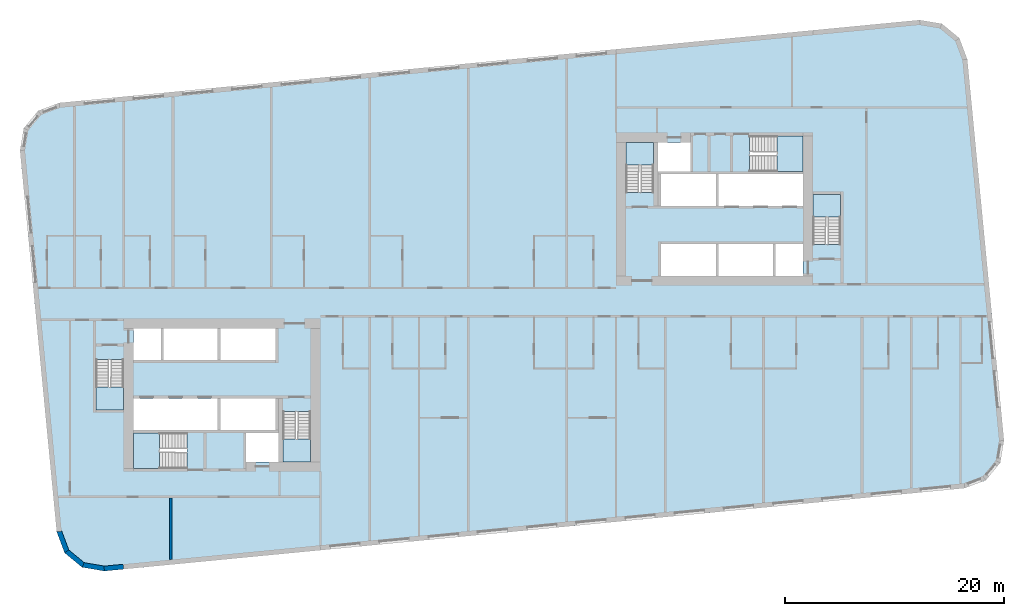
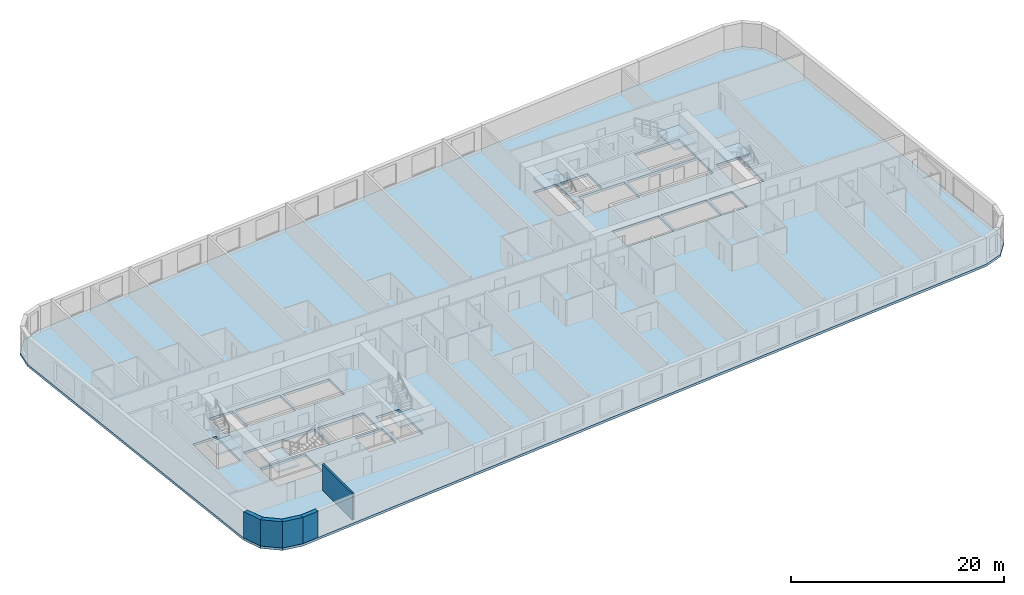
# One storey, part 1 of 12: 7 slabs, 5 walls, 6 elements without a shape of their own.
"""IFC4 building model written with IfcOpenShell, lengths in metres."""

from ifc_helpers import new_model, si_unit, direction, frame, frame_2d, origin, place, context, subcontext, project, spatial, polyline, rectangle, outline, extrude, material, layer, layer_set, type_object, element, aggregate, save


model = new_model("IFC4")

# Units and contexts
model_context = context("Model", 3, precision=1e-05, world=origin(), true_north=direction((0.0, 1.0)))
body_context = subcontext(model_context, "Body", "Model", "MODEL_VIEW")
ifc_project = project(units=[si_unit("LENGTHUNIT", "METRE"), si_unit("AREAUNIT", "SQUARE_METRE"), si_unit("VOLUMEUNIT", "CUBIC_METRE"), si_unit("PLANEANGLEUNIT", "RADIAN"), si_unit("MASSUNIT", "GRAM", prefix="KILO")], contexts=[model_context])

# Site, building, storey
site_placement = place(None, origin())
site = spatial("IfcSite", under=ifc_project, at=site_placement, CompositionType="ELEMENT")
building_placement = place(site_placement, origin())
building = spatial("IfcBuilding", under=site, at=building_placement, Name="Kajstack Hotel Tower", CompositionType="ELEMENT")
storey_placement = place(building_placement, frame((0.0, 0.0, 114.10009765625)))
storey = spatial("IfcBuildingStorey", under=building, at=storey_placement, Name="L24", CompositionType="ELEMENT", Elevation=114.10009765625)

# Slab
ifc_material_1 = material(Name="Concrete C40/50", Category="concrete")
ifc_layer_1 = layer(ifc_material_1, 0.280029296875)
ifc_layer_set_1 = layer_set([ifc_layer_1], Name="RC slab 280 C40/50 guest")
slab_type_1 = type_object("IfcSlabType", Name="RC slab 280 C40/50 guest", PredefinedType="FLOOR", material=ifc_layer_set_1)
slab_1_placement = place(storey_placement, frame((0.0, 0.0, -0.280029296875)))
element("IfcSlab", 1, at=slab_1_placement, inside=storey, type_object=slab_type_1, Name="S-slab-L24", PredefinedType="FLOOR", context=body_context, shape_type="SweptSolid", body=[
    extrude(outline(polyline([(-40.97705078125, 13.85009765625), (-37.622314453125, -20.98876953125), (-36.897216796875, -22.92822265625), (-35.299560546875, -24.2451171875), (-33.257568359375, -24.5869140625), (45.37890625, -17.01513671875), (47.318359375, -16.2900390625), (48.63525390625, -14.6923828125), (48.97705078125, -12.650146484375), (45.622314453125, 22.188720703125), (44.897216796875, 24.128173828125), (43.299560546875, 25.4453125), (41.257568359375, 25.786865234375), (-37.37890625, 18.215087890625), (-39.318359375, 17.489990234375), (-40.63525390625, 15.892333984375), (-40.97705078125, 13.85009765625)]), holes=[polyline([(-30.60009765625, -11.699951171875), (-30.60009765625, -8.800048828125), (-22.89990234375, -8.800048828125), (-22.89990234375, -11.699951171875), (-30.60009765625, -11.699951171875)]), polyline([(-22.64990234375, -11.699951171875), (-22.64990234375, -8.800048828125), (-17.60009765625, -8.800048828125), (-17.60009765625, -11.699951171875), (-22.64990234375, -11.699951171875)]), polyline([(-27.85009765625, -5.300048828125), (-27.85009765625, -2.39990234375), (-22.89990234375, -2.39990234375), (-22.89990234375, -5.300048828125), (-27.85009765625, -5.300048828125)]), polyline([(-22.64990234375, -5.300048828125), (-22.64990234375, -2.39990234375), (-17.60009765625, -2.39990234375), (-17.60009765625, -5.300048828125), (-22.64990234375, -5.300048828125)]), polyline([(-20.300048828125, -14.60009765625), (-17.35009765625, -14.60009765625), (-17.35009765625, -11.949951171875), (-20.300048828125, -11.949951171875), (-20.300048828125, -14.60009765625)]), polyline([(-30.60009765625, -5.300048828125), (-28.10009765625, -5.300048828125), (-28.10009765625, -2.39990234375), (-30.60009765625, -2.39990234375), (-30.60009765625, -5.300048828125)]), polyline([(22.89990234375, 8.800048828125), (22.89990234375, 11.699951171875), (30.60009765625, 11.699951171875), (30.60009765625, 8.800048828125), (22.89990234375, 8.800048828125)]), polyline([(17.60009765625, 8.800048828125), (17.60009765625, 11.699951171875), (22.64990234375, 11.699951171875), (22.64990234375, 8.800048828125), (17.60009765625, 8.800048828125)]), polyline([(22.89990234375, 2.39990234375), (22.89990234375, 5.300048828125), (27.85009765625, 5.300048828125), (27.85009765625, 2.39990234375), (22.89990234375, 2.39990234375)]), polyline([(17.60009765625, 2.39990234375), (17.60009765625, 5.300048828125), (22.64990234375, 5.300048828125), (22.64990234375, 2.39990234375), (17.60009765625, 2.39990234375)]), polyline([(20.300048828125, 14.60009765625), (17.35009765625, 14.60009765625), (17.35009765625, 11.949951171875), (20.300048828125, 11.949951171875), (20.300048828125, 14.60009765625)]), polyline([(30.60009765625, 5.300048828125), (28.10009765625, 5.300048828125), (28.10009765625, 2.39990234375), (30.60009765625, 2.39990234375), (30.60009765625, 5.300048828125)]), polyline([(-34.050048828125, -9.85009765625), (-31.5, -9.85009765625), (-31.5, -5.25), (-34.050048828125, -5.25), (-34.050048828125, -9.85009765625)]), polyline([(-16.949951171875, -14.60009765625), (-14.39990234375, -14.60009765625), (-14.39990234375, -10.0), (-16.949951171875, -10.0), (-16.949951171875, -14.60009765625)]), polyline([(-30.60009765625, -15.199951171875), (-25.699951171875, -15.199951171875), (-25.699951171875, -11.949951171875), (-30.60009765625, -11.949951171875), (-30.60009765625, -15.199951171875)]), polyline([(34.050048828125, 9.85009765625), (31.5, 9.85009765625), (31.5, 5.25), (34.050048828125, 5.25), (34.050048828125, 9.85009765625)]), polyline([(16.949951171875, 14.60009765625), (14.39990234375, 14.60009765625), (14.39990234375, 10.0), (16.949951171875, 10.0), (16.949951171875, 14.60009765625)]), polyline([(30.60009765625, 15.199951171875), (25.699951171875, 15.199951171875), (25.699951171875, 11.949951171875), (30.60009765625, 11.949951171875), (30.60009765625, 15.199951171875)])]), origin(), (0.0, 0.0, 1.0), 0.280029296875),
])

# Stair, slab
stair_type_1 = type_object("IfcStairType", Name="Exit stair 1200", PredefinedType="HALF_TURN_STAIR", material=ifc_material_1)
stair_1_placement = place(storey_placement, origin())
stair_1 = element("IfcStair", 2, at=stair_1_placement, inside=storey, type_object=stair_type_1, Name="L24 stair W1", PredefinedType="HALF_TURN_STAIR")
ifc_layer_2 = layer(ifc_material_1, 0.199951171875)
ifc_layer_set_2 = layer_set([ifc_layer_2], Name="Stair landing 200")
slab_type_2 = type_object("IfcSlabType", Name="Stair landing 200", PredefinedType="LANDING", material=ifc_layer_set_2)
slab_2_placement = place(storey_placement, frame((0.0, 0.0, 1.449951171875)))
slab_2 = element("IfcSlab", 3, at=slab_2_placement, type_object=slab_type_2, Name="W1 landing 1", PredefinedType="LANDING", context=body_context, shape_type="SweptSolid", body=[
    extrude(outline(polyline([(-34.050048828125, -7.77001953125), (-34.050048828125, -9.85009765625), (-31.5, -9.85009765625), (-31.5, -7.77001953125), (-34.050048828125, -7.77001953125)])), origin(), (0.0, 0.0, 1.0), 0.199951171875),
])
aggregate(stair_1, [slab_2])

stair_2_placement = place(storey_placement, origin())
stair_2 = element("IfcStair", 4, at=stair_2_placement, inside=storey, type_object=stair_type_1, Name="L24 stair W2", PredefinedType="HALF_TURN_STAIR")
slab_3_placement = place(storey_placement, frame((0.0, 0.0, 1.449951171875)))
slab_3 = element("IfcSlab", 5, at=slab_3_placement, type_object=slab_type_2, Name="W2 landing 1", PredefinedType="LANDING", context=body_context, shape_type="SweptSolid", body=[
    extrude(outline(polyline([(-16.949951171875, -12.52001953125), (-16.949951171875, -14.60009765625), (-14.39990234375, -14.60009765625), (-14.39990234375, -12.52001953125), (-16.949951171875, -12.52001953125)])), origin(), (0.0, 0.0, 1.0), 0.199951171875),
])
aggregate(stair_2, [slab_3])

stair_type_2 = type_object("IfcStairType", Name="Exit stair 1500", PredefinedType="HALF_TURN_STAIR", material=ifc_material_1)
stair_3_placement = place(storey_placement, origin())
stair_3 = element("IfcStair", 6, at=stair_3_placement, inside=storey, type_object=stair_type_2, Name="L24 stair W3", PredefinedType="HALF_TURN_STAIR")
slab_4_placement = place(storey_placement, frame((0.0, 0.0, 1.449951171875)))
slab_4 = element("IfcSlab", 7, at=slab_4_placement, type_object=slab_type_2, Name="W3 landing 1", PredefinedType="LANDING", context=body_context, shape_type="SweptSolid", body=[
    extrude(outline(polyline([(-28.219970703125, -11.949951171875), (-30.60009765625, -11.949951171875), (-30.60009765625, -15.199951171875), (-28.219970703125, -15.199951171875), (-28.219970703125, -11.949951171875)])), origin(), (0.0, 0.0, 1.0), 0.199951171875),
])
aggregate(stair_3, [slab_4])

stair_4_placement = place(storey_placement, origin())
stair_4 = element("IfcStair", 8, at=stair_4_placement, inside=storey, type_object=stair_type_1, Name="L24 stair E1", PredefinedType="HALF_TURN_STAIR")
slab_5_placement = place(storey_placement, frame((0.0, 0.0, 1.449951171875)))
slab_5 = element("IfcSlab", 9, at=slab_5_placement, type_object=slab_type_2, Name="E1 landing 1", PredefinedType="LANDING", context=body_context, shape_type="SweptSolid", body=[
    extrude(outline(polyline([(34.050048828125, 7.77001953125), (34.050048828125, 9.85009765625), (31.5, 9.85009765625), (31.5, 7.77001953125), (34.050048828125, 7.77001953125)])), origin(), (0.0, 0.0, 1.0), 0.199951171875),
])
aggregate(stair_4, [slab_5])

stair_5_placement = place(storey_placement, origin())
stair_5 = element("IfcStair", 10, at=stair_5_placement, inside=storey, type_object=stair_type_1, Name="L24 stair E2", PredefinedType="HALF_TURN_STAIR")
slab_6_placement = place(storey_placement, frame((0.0, 0.0, 1.449951171875)))
slab_6 = element("IfcSlab", 11, at=slab_6_placement, type_object=slab_type_2, Name="E2 landing 1", PredefinedType="LANDING", context=body_context, shape_type="SweptSolid", body=[
    extrude(outline(polyline([(16.949951171875, 12.52001953125), (16.949951171875, 14.60009765625), (14.39990234375, 14.60009765625), (14.39990234375, 12.52001953125), (16.949951171875, 12.52001953125)])), origin(), (0.0, 0.0, 1.0), 0.199951171875),
])
aggregate(stair_5, [slab_6])

stair_6_placement = place(storey_placement, origin())
stair_6 = element("IfcStair", 12, at=stair_6_placement, inside=storey, type_object=stair_type_2, Name="L24 stair E3", PredefinedType="HALF_TURN_STAIR")
slab_7_placement = place(storey_placement, frame((0.0, 0.0, 1.449951171875)))
slab_7 = element("IfcSlab", 13, at=slab_7_placement, type_object=slab_type_2, Name="E3 landing 1", PredefinedType="LANDING", context=body_context, shape_type="SweptSolid", body=[
    extrude(outline(polyline([(28.219970703125, 11.949951171875), (30.60009765625, 11.949951171875), (30.60009765625, 15.199951171875), (28.219970703125, 15.199951171875), (28.219970703125, 11.949951171875)])), origin(), (0.0, 0.0, 1.0), 0.199951171875),
])
aggregate(stair_6, [slab_7])

# Walls
ifc_material_2 = material(Name="Terracotta-faced brick masonry", Category="masonry")
ifc_layer_3 = layer(ifc_material_2, 0.449951171875)
ifc_layer_set_3 = layer_set([ifc_layer_3], Name="EW-TERRA")
wall_type_1 = type_object("IfcWallType", Name="EW-TERRA", PredefinedType="SOLIDWALL", material=ifc_layer_set_3)
for number, where, z_axis, x_axis, name in (
    (14, (-37.41162109375, -20.909912109375, 0.0), (0.0, 0.0, 1.0), (0.350192909346, -0.936677599948, 0.0), "E-wall-L24-01-00"),
    (15, (-36.754150390625, -22.754638671875, 0.0), (0.0, 0.0, 1.0), (0.771651049663, -0.636046112757, 0.0), "E-wall-L24-02-00"),
):
    element("IfcWall", number, at=place(storey_placement, frame(where, z_axis=z_axis, x_axis=x_axis)), inside=storey, type_object=wall_type_1, Name=name, PredefinedType="SOLIDWALL", context=body_context, shape_type="SweptSolid", body=[
        extrude(outline(polyline([(0.0, -0.22509765625), (2.070556640625, -0.22509765625), (1.949951171875, 0.224853515625), (0.12060546875, 0.22509765625), (0.0, -0.22509765625)])), origin(), (0.0, 0.0, 1.0), 3.02001953125),
    ])
wall_1_placement = place(storey_placement, frame((-35.262451171875, -24.023193359375, 0.0), z_axis=(0.0, 0.0, 1.0), x_axis=(0.986278951104, -0.165087342366, 0.0)))
element("IfcWall", 16, at=wall_1_placement, inside=storey, type_object=wall_type_1, Name="E-wall-L24-03-00", PredefinedType="SOLIDWALL", context=body_context, shape_type="SweptSolid", body=[
    extrude(outline(polyline([(0.0, -0.22509765625), (2.070556640625, -0.22509765625), (1.949951171875, 0.22509765625), (0.12060546875, 0.224853515625), (0.0, -0.22509765625)])), origin(), (0.0, 0.0, 1.0), 3.02001953125),
])
wall_2_placement = place(storey_placement, frame((-33.279052734375, -24.363037109375, 0.0), z_axis=(0.0, 0.0, 1.0), x_axis=(0.995385439311, 0.095957423931, 0.0)))
element("IfcWall", 17, at=wall_2_placement, inside=storey, type_object=wall_type_1, Name="E-wall-L24-04-00", PredefinedType="SOLIDWALL", context=body_context, shape_type="SweptSolid", body=[
    extrude(rectangle(XDim=1.765625, YDim=0.449951171875, at=frame_2d((0.8828125, 0.0))), origin(), (0.0, 0.0, 1.0), 3.02001953125),
])
ifc_material_3 = material(Name="Gypsum board on steel studs, mineral wool", Category="steel")
ifc_layer_4 = layer(ifc_material_3, 0.199951171875)
ifc_layer_set_4 = layer_set([ifc_layer_4], Name="Service partition 200")
wall_type_2 = type_object("IfcWallType", Name="Service partition 200", PredefinedType="PARTITIONING", material=ifc_layer_set_4)
wall_3_placement = place(storey_placement, frame((-27.199951171875, -23.552490234375, 0.0), z_axis=(0.0, 0.0, 1.0), x_axis=(0.0, 1.0, 0.0)))
element("IfcWall", 18, at=wall_3_placement, inside=storey, type_object=wall_type_2, Name="Partition W SLP0", PredefinedType="PARTITIONING", context=body_context, shape_type="SweptSolid", body=[
    extrude(rectangle(XDim=5.652587890625, YDim=0.199951171875, at=frame_2d((2.826171875, 0.0))), origin(), (0.0, 0.0, 1.0), 3.02001953125),
])

save(model, "model.ifc")
